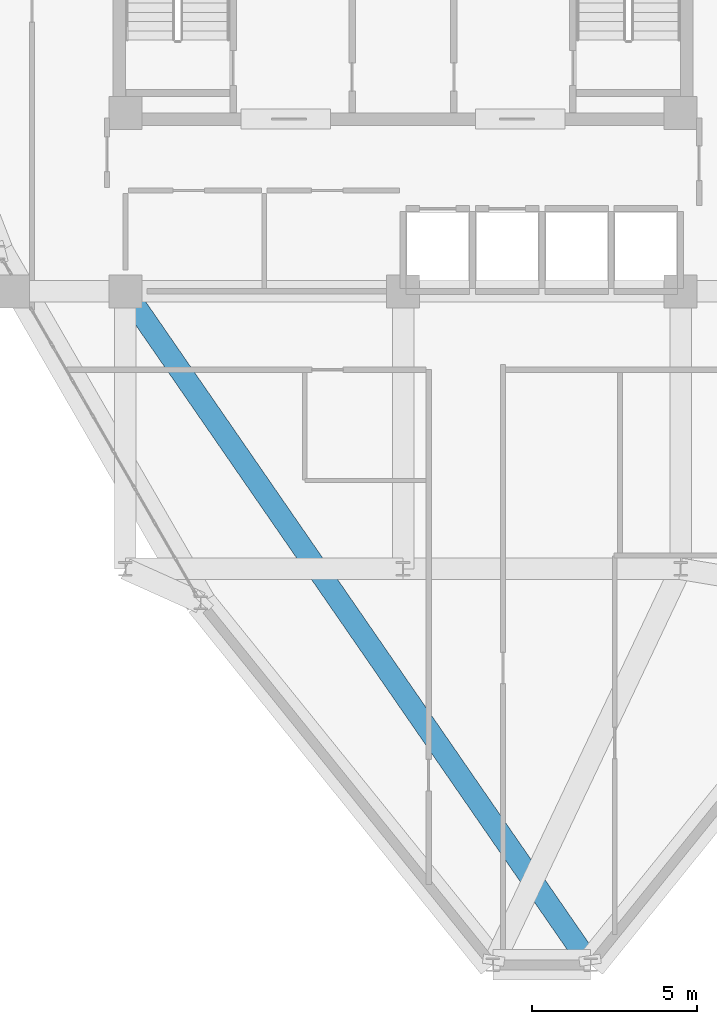
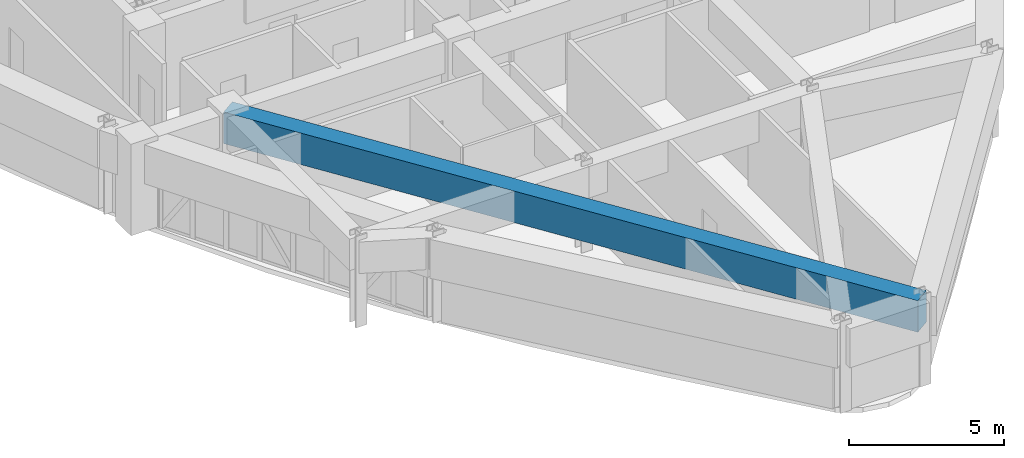
# One storey, part 3 of 19: 1 beam.
"""IFC4 building model written with IfcOpenShell, lengths in metres."""

from ifc_helpers import new_model, si_unit, derived_unit, direction, frame, origin, origin_2d, place, context, subcontext, project, spatial, rectangle, extrude, source, transform, mapped, material, material_profile, profile_set, type_object, element, save


model = new_model("IFC4")

# Units and contexts
model_context = context("Model", 3, precision=1e-05, world=origin(), true_north=direction((0.0, 1.0)))
body_context = subcontext(model_context, "Body", "Model", "MODEL_VIEW")
ifc_project = project(units=[si_unit("LENGTHUNIT", "METRE"), si_unit("AREAUNIT", "SQUARE_METRE"), si_unit("VOLUMEUNIT", "CUBIC_METRE"), si_unit("PLANEANGLEUNIT", "RADIAN"), si_unit("MASSUNIT", "GRAM", prefix="KILO"), derived_unit("THERMALTRANSMITTANCEUNIT", [(si_unit("POWERUNIT", "WATT"), 1), (si_unit("LENGTHUNIT", "METRE"), -2), (si_unit("THERMODYNAMICTEMPERATUREUNIT", "KELVIN"), -1)])], contexts=[model_context])

# Site, building, storey
site_placement = place(None, origin())
site = spatial("IfcSite", under=ifc_project, at=site_placement, CompositionType="ELEMENT")
building_placement = place(site_placement, origin())
building = spatial("IfcBuilding", under=site, at=building_placement, Name="Korsvarv Bourse and Concert Hall", CompositionType="ELEMENT")
storey_placement = place(building_placement, frame((0.0, 0.0, 223.800048828125)))
storey = spatial("IfcBuildingStorey", under=building, at=storey_placement, Name="L58", CompositionType="ELEMENT", Elevation=223.800048828125)

# Beam
ifc_material = material(Name="Concrete C50/60", Category="concrete")
ifc_material_profile = material_profile(ifc_material, rectangle(XDim=0.64990234375, YDim=1.239990234375, at=origin_2d()), Name="RC-BM 650x1240")
ifc_profile_set = profile_set([ifc_material_profile], Name="Concrete C50/60")
beam_type = type_object("IfcBeamType", Name="BM-TR-SPN", PredefinedType="BEAM", material=ifc_profile_set)
shared_shape = source(origin(), body_context, "Body", "SweptSolid", [
    extrude(rectangle(XDim=0.64990234375, YDim=1.239990234375, at=origin_2d()), origin(), (0.0, 0.0, 1.0), 24.770263671875),
])
beam_placement = place(storey_placement, frame((41.6796875, 12.020263671875, 2.7900390625), z_axis=(-0.568407609626, 0.822747099247, 0.0), x_axis=(-0.822747099247, -0.568407609626, 0.0)))
element("IfcBeam", 1, at=beam_placement, inside=storey, type_object=beam_type, Name="L58 beam B-TRS", PredefinedType="BEAM", context=body_context, shape_type="MappedRepresentation", body=[
    mapped(shared_shape, transform((0.0, 0.0, 0.0), scale=1.0)),
])

save(model, "model.ifc")
